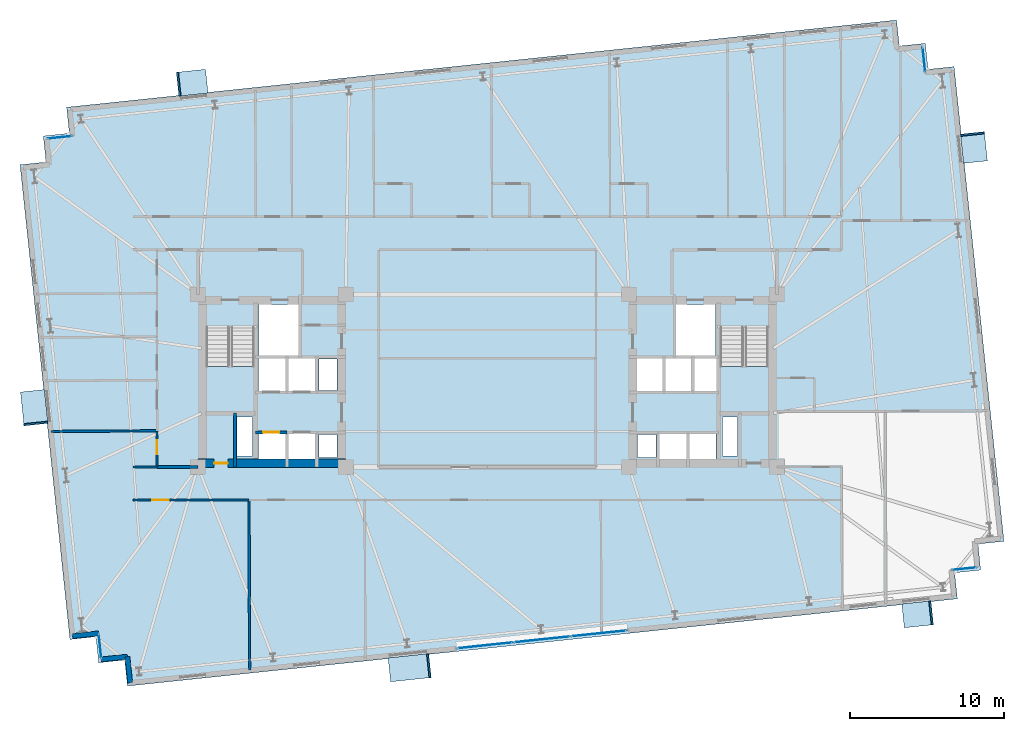
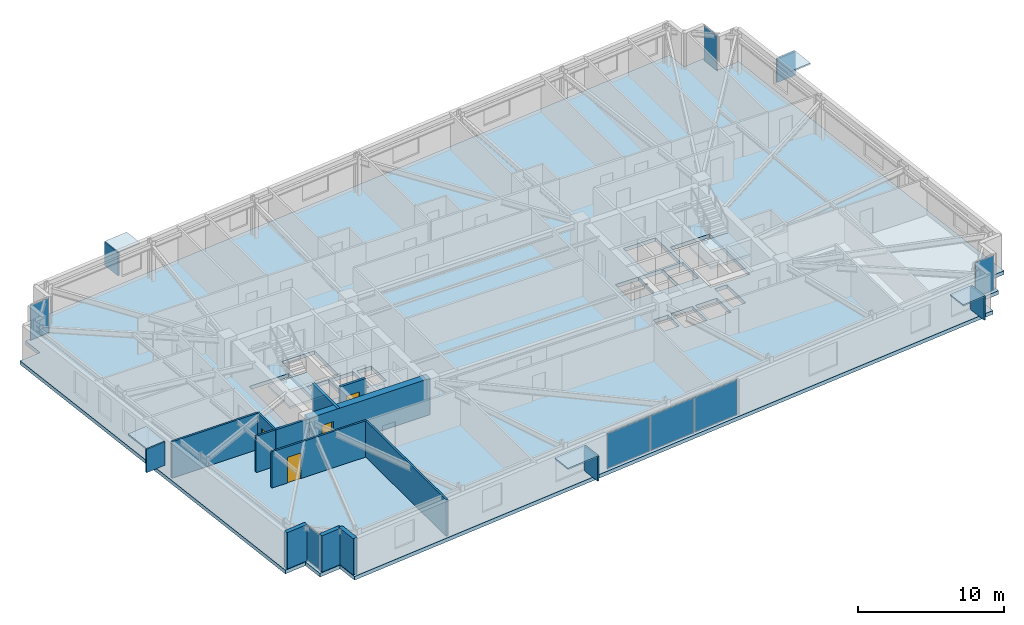
# One storey, part 15 of 23: 17 plates, 12 walls, 4 doors, 3 slabs, 4 openings, 7 elements without a shape of their own.
"""IFC4 building model written with IfcOpenShell, lengths in metres."""

from ifc_helpers import new_model, si_unit, direction, frame, frame_2d, origin, origin_2d, place, context, subcontext, project, spatial, polyline, rectangle, outline, extrude, material, layer, layer_set, type_object, element, fill, aggregate, save


model = new_model("IFC4")

# Units and contexts
model_context = context("Model", 3, precision=1e-05, world=origin(), true_north=direction((0.0, 1.0)))
body_context = subcontext(model_context, "Body", "Model", "MODEL_VIEW")
ifc_project = project(units=[si_unit("LENGTHUNIT", "METRE"), si_unit("AREAUNIT", "SQUARE_METRE"), si_unit("VOLUMEUNIT", "CUBIC_METRE"), si_unit("PLANEANGLEUNIT", "RADIAN"), si_unit("MASSUNIT", "GRAM", prefix="KILO")], contexts=[model_context])

# Site, building, storey
site_placement = place(None, origin())
site = spatial("IfcSite", under=ifc_project, at=site_placement, CompositionType="ELEMENT")
building_placement = place(site_placement, origin())
building = spatial("IfcBuilding", under=site, at=building_placement, Name="Qobustan Lattice House", CompositionType="ELEMENT")
storey_placement = place(building_placement, frame((0.0, 0.0, 102.449951171875)))
storey = spatial("IfcBuildingStorey", under=building, at=storey_placement, Name="L28", CompositionType="ELEMENT", Elevation=102.449951171875)

# Curtain wall, plate
ifc_material_1 = material(Name="Anodised aluminium and low-E glazing", Category="aluminium")
ifc_layer_1 = layer(ifc_material_1, 0.219970703125)
ifc_layer_set_1 = layer_set([ifc_layer_1], Name="Anodised aluminium and low-E glazing")
curtain_wall_type_1 = type_object("IfcCurtainWallType", Name="CW-FAC-01", PredefinedType="USERDEFINED", material=ifc_layer_set_1)
curtain_wall_1_placement = place(storey_placement, origin())
curtain_wall_1 = element("IfcCurtainWall", 1, at=curtain_wall_1_placement, inside=storey, type_object=curtain_wall_type_1, Name="L28 serrated corner faceted glazing 3", ObjectType="CURTAIN WALL", PredefinedType="USERDEFINED")
ifc_material_2 = material(Name="Clear low-E laminated glass", Category="glass")
ifc_layer_2 = layer(ifc_material_2, 0.031982421875)
ifc_layer_set_2 = layer_set([ifc_layer_2], Name="Clear low-E laminated glass")
plate_type_1 = type_object("IfcPlateType", Name="CWP-VISION-32", PredefinedType="CURTAIN_PANEL", material=ifc_layer_set_2)
plate_1_placement = place(storey_placement, frame((-25.155029296875, -17.2509765625, 0.06494140625), z_axis=(0.0, 0.0, 1.0), x_axis=(-0.104528620025, 0.994521878892, 0.0)))
plate_1 = element("IfcPlate", 2, at=plate_1_placement, type_object=plate_type_1, Name="CW-F1 panel 1.1", PredefinedType="CURTAIN_PANEL", context=body_context, shape_type="SweptSolid", body=[
    extrude(rectangle(XDim=1.56005859375, YDim=0.031982421875, at=origin_2d()), origin(), (0.0, 0.0, 1.0), 2.9150390625),
])
aggregate(curtain_wall_1, [plate_1])

curtain_wall_2_placement = place(storey_placement, origin())
curtain_wall_2 = element("IfcCurtainWall", 3, at=curtain_wall_2_placement, inside=storey, type_object=curtain_wall_type_1, Name="L28 serrated corner faceted glazing 8", ObjectType="CURTAIN WALL", PredefinedType="USERDEFINED")
plate_2_placement = place(storey_placement, frame((-27.77490234375, 15.80615234375, 0.06494140625), z_axis=(0.0, 0.0, 1.0), x_axis=(0.994521878892, 0.104528620025, 0.0)))
plate_2 = element("IfcPlate", 4, at=plate_2_placement, type_object=plate_type_1, Name="CW-F1 panel 1.1", PredefinedType="CURTAIN_PANEL", context=body_context, shape_type="SweptSolid", body=[
    extrude(rectangle(XDim=1.56005859375, YDim=0.031982421875, at=origin_2d()), origin(), (0.0, 0.0, 1.0), 2.9150390625),
])
aggregate(curtain_wall_2, [plate_2])

curtain_wall_3_placement = place(storey_placement, origin())
curtain_wall_3 = element("IfcCurtainWall", 5, at=curtain_wall_3_placement, inside=storey, type_object=curtain_wall_type_1, Name="L28 serrated corner faceted glazing 13", ObjectType="CURTAIN WALL", PredefinedType="USERDEFINED")
plate_3_placement = place(storey_placement, frame((28.355224609375, 20.85107421875, 0.06494140625), z_axis=(0.0, 0.0, 1.0), x_axis=(0.104528620025, -0.994521878892, 0.0)))
plate_3 = element("IfcPlate", 6, at=plate_3_placement, type_object=plate_type_1, Name="CW-F1 panel 1.1", PredefinedType="CURTAIN_PANEL", context=body_context, shape_type="SweptSolid", body=[
    extrude(rectangle(XDim=1.56005859375, YDim=0.031982421875, at=origin_2d()), origin(), (0.0, 0.0, 1.0), 2.9150390625),
])
aggregate(curtain_wall_3, [plate_3])

curtain_wall_4_placement = place(storey_placement, origin())
curtain_wall_4 = element("IfcCurtainWall", 7, at=curtain_wall_4_placement, inside=storey, type_object=curtain_wall_type_1, Name="L28 serrated corner faceted glazing 18", ObjectType="CURTAIN WALL", PredefinedType="USERDEFINED")
plate_4_placement = place(storey_placement, frame((30.974853515625, -12.206298828125, 0.06494140625), z_axis=(0.0, 0.0, 1.0), x_axis=(-0.994521878892, -0.104528620025, 0.0)))
plate_4 = element("IfcPlate", 8, at=plate_4_placement, type_object=plate_type_1, Name="CW-F1 panel 1.1", PredefinedType="CURTAIN_PANEL", context=body_context, shape_type="SweptSolid", body=[
    extrude(rectangle(XDim=1.56005859375, YDim=0.031982421875, at=origin_2d()), origin(), (0.0, 0.0, 1.0), 2.9150390625),
])
aggregate(curtain_wall_4, [plate_4])

# Curtain wall, plates
ifc_material_3 = material(Name="Anodised aluminium and low-E glazing", Category="aluminium")
ifc_layer_3 = layer(ifc_material_3, 0.219970703125)
ifc_layer_set_3 = layer_set([ifc_layer_3], Name="Anodised aluminium and low-E glazing")
curtain_wall_type_2 = type_object("IfcCurtainWallType", Name="CW-IWN-01", PredefinedType="USERDEFINED", material=ifc_layer_set_3)
curtain_wall_5_placement = place(storey_placement, origin())
curtain_wall_5 = element("IfcCurtainWall", 9, at=curtain_wall_5_placement, inside=storey, type_object=curtain_wall_type_2, Name="L28 IWAN-2 walnut-lined iwan curtain wall", ObjectType="CURTAIN WALL", PredefinedType="USERDEFINED")
plate_5_placement = place(storey_placement, frame((7.24755859375, -16.409423828125, 0.06494140625), z_axis=(0.0, 0.0, 1.0), x_axis=(-0.994522123189, -0.104526295675, 0.0)))
plate_5 = element("IfcPlate", 10, at=plate_5_placement, type_object=plate_type_1, Name="CW-IW panel 1.1", PredefinedType="CURTAIN_PANEL", context=body_context, shape_type="SweptSolid", body=[
    extrude(rectangle(XDim=3.61328125, YDim=0.031982421875, at=origin_2d()), origin(), (0.0, 0.0, 1.0), 2.9150390625),
])
plate_6_placement = place(storey_placement, frame((3.5546875, -16.797607421875, 0.06494140625), z_axis=(0.0, 0.0, 1.0), x_axis=(-0.994522123189, -0.104526295675, 0.0)))
plate_6 = element("IfcPlate", 11, at=plate_6_placement, type_object=plate_type_1, Name="CW-IW panel 2.1", PredefinedType="CURTAIN_PANEL", context=body_context, shape_type="SweptSolid", body=[
    extrude(rectangle(XDim=3.6533203125, YDim=0.031982421875, at=origin_2d()), origin(), (0.0, 0.0, 1.0), 2.9150390625),
])
plate_7_placement = place(storey_placement, frame((-0.138427734375, -17.185791015625, 0.06494140625), z_axis=(0.0, 0.0, 1.0), x_axis=(-0.994522123189, -0.104526295675, 0.0)))
plate_7 = element("IfcPlate", 12, at=plate_7_placement, type_object=plate_type_1, Name="CW-IW panel 3.1", PredefinedType="CURTAIN_PANEL", context=body_context, shape_type="SweptSolid", body=[
    extrude(rectangle(XDim=3.61328125, YDim=0.031982421875, at=origin_2d()), origin(), (0.0, 0.0, 1.0), 2.9150390625),
])
aggregate(curtain_wall_5, [plate_5, plate_6, plate_7])

# Plates
ifc_material_4 = material(Name="Qobustan limestone GFRC", Category="masonry")
ifc_layer_4 = layer(ifc_material_4, 0.1201171875)
ifc_layer_set_4 = layer_set([ifc_layer_4], Name="Qobustan limestone GFRC")
plate_type_2 = type_object("IfcPlateType", Name="SHD-HOOD-BROW", PredefinedType="USERDEFINED", material=ifc_layer_set_4)
plate_8_placement = place(storey_placement, frame((-29.4296875, -1.743408203125, 2.699951171875), z_axis=(0.0, 0.0, 1.0), x_axis=(-0.104528463268, 0.994521895368, 0.0)))
element("IfcPlate", 13, at=plate_8_placement, inside=storey, type_object=plate_type_2, Name="L28 splayed Qobustan stone hood brow", ObjectType="SUNSHADE", PredefinedType="USERDEFINED", context=body_context, shape_type="SweptSolid", body=[
    extrude(rectangle(XDim=2.18994140625, YDim=1.56005859375, at=origin_2d()), origin(), (0.0, 0.0, 1.0), 0.1201171875),
])
plate_9_placement = place(storey_placement, frame((-29.3212890625, -2.772705078125, 0.7900390625), z_axis=(0.0, 0.0, 1.0), x_axis=(-0.104528463268, 0.994521895368, 0.0)))
element("IfcPlate", 14, at=plate_9_placement, inside=storey, type_object=plate_type_2, Name="L28 splayed Qobustan stone hood cheek", ObjectType="SUNSHADE", PredefinedType="USERDEFINED", context=body_context, shape_type="SweptSolid", body=[
    extrude(rectangle(XDim=0.1201171875, YDim=1.56005859375, at=origin_2d()), origin(), (0.0, 0.0, 1.0), 1.969970703125),
])
plate_10_placement = place(storey_placement, frame((-19.162841796875, 19.355712890625, 2.699951171875), z_axis=(0.0, 0.0, 1.0), x_axis=(0.994521895368, 0.104528463268, 0.0)))
element("IfcPlate", 15, at=plate_10_placement, inside=storey, type_object=plate_type_2, Name="L28 splayed Qobustan stone hood brow", ObjectType="SUNSHADE", PredefinedType="USERDEFINED", context=body_context, shape_type="SweptSolid", body=[
    extrude(rectangle(XDim=1.889892578125, YDim=1.56005859375, at=origin_2d()), origin(), (0.0, 0.0, 1.0), 0.1201171875),
])
plate_11_placement = place(storey_placement, frame((-20.04296875, 19.26318359375, 0.7900390625), z_axis=(0.0, 0.0, 1.0), x_axis=(0.994521895368, 0.104528463268, 0.0)))
element("IfcPlate", 16, at=plate_11_placement, inside=storey, type_object=plate_type_2, Name="L28 splayed Qobustan stone hood cheek", ObjectType="SUNSHADE", PredefinedType="USERDEFINED", context=body_context, shape_type="SweptSolid", body=[
    extrude(rectangle(XDim=0.1201171875, YDim=1.56005859375, at=origin_2d()), origin(), (0.0, 0.0, 1.0), 1.969970703125),
])
plate_12_placement = place(storey_placement, frame((31.599609375, 15.14208984375, 2.699951171875), z_axis=(0.0, 0.0, 1.0), x_axis=(0.104528463268, -0.994521895368, 0.0)))
element("IfcPlate", 17, at=plate_12_placement, inside=storey, type_object=plate_type_2, Name="L28 splayed Qobustan stone hood brow", ObjectType="SUNSHADE", PredefinedType="USERDEFINED", context=body_context, shape_type="SweptSolid", body=[
    extrude(rectangle(XDim=1.889892578125, YDim=1.56005859375, at=origin_2d()), origin(), (0.0, 0.0, 1.0), 0.1201171875),
])
plate_13_placement = place(storey_placement, frame((31.507080078125, 16.022216796875, 0.7900390625), z_axis=(0.0, 0.0, 1.0), x_axis=(0.104528463268, -0.994521895368, 0.0)))
element("IfcPlate", 18, at=plate_13_placement, inside=storey, type_object=plate_type_2, Name="L28 splayed Qobustan stone hood cheek", ObjectType="SUNSHADE", PredefinedType="USERDEFINED", context=body_context, shape_type="SweptSolid", body=[
    extrude(rectangle(XDim=0.1201171875, YDim=1.56005859375, at=origin_2d()), origin(), (0.0, 0.0, 1.0), 1.969970703125),
])
plate_14_placement = place(storey_placement, frame((27.935791015625, -15.170166015625, 2.699951171875), z_axis=(0.0, 0.0, 1.0), x_axis=(-0.994521895368, -0.104528463268, 0.0)))
element("IfcPlate", 19, at=plate_14_placement, inside=storey, type_object=plate_type_2, Name="L28 splayed Qobustan stone hood brow", ObjectType="SUNSHADE", PredefinedType="USERDEFINED", context=body_context, shape_type="SweptSolid", body=[
    extrude(rectangle(XDim=1.889892578125, YDim=1.56005859375, at=origin_2d()), origin(), (0.0, 0.0, 1.0), 0.1201171875),
])
plate_15_placement = place(storey_placement, frame((28.81591796875, -15.07763671875, 0.7900390625), z_axis=(0.0, 0.0, 1.0), x_axis=(-0.994521895368, -0.104528463268, 0.0)))
element("IfcPlate", 20, at=plate_15_placement, inside=storey, type_object=plate_type_2, Name="L28 splayed Qobustan stone hood cheek", ObjectType="SUNSHADE", PredefinedType="USERDEFINED", context=body_context, shape_type="SweptSolid", body=[
    extrude(rectangle(XDim=0.1201171875, YDim=1.56005859375, at=origin_2d()), origin(), (0.0, 0.0, 1.0), 1.969970703125),
])
plate_16_placement = place(storey_placement, frame((-5.052978515625, -18.637451171875, 2.800048828125), z_axis=(0.0, 0.0, 1.0), x_axis=(-0.994521895368, -0.104528463268, 0.0)))
element("IfcPlate", 21, at=plate_16_placement, inside=storey, type_object=plate_type_2, Name="L28 splayed Qobustan stone hood brow", ObjectType="SUNSHADE", PredefinedType="USERDEFINED", context=body_context, shape_type="SweptSolid", body=[
    extrude(rectangle(XDim=2.639892578125, YDim=1.56005859375, at=origin_2d()), origin(), (0.0, 0.0, 1.0), 0.1201171875),
])
plate_17_placement = place(storey_placement, frame((-3.7998046875, -18.505615234375, 0.7900390625), z_axis=(0.0, 0.0, 1.0), x_axis=(-0.994521895368, -0.104528463268, 0.0)))
element("IfcPlate", 22, at=plate_17_placement, inside=storey, type_object=plate_type_2, Name="L28 splayed Qobustan stone hood cheek", ObjectType="SUNSHADE", PredefinedType="USERDEFINED", context=body_context, shape_type="SweptSolid", body=[
    extrude(rectangle(XDim=0.1201171875, YDim=1.56005859375, at=origin_2d()), origin(), (0.0, 0.0, 1.0), 2.070068359375),
])

# Slab
ifc_material_5 = material(Name="Concrete C40/50", Category="concrete")
ifc_layer_5 = layer(ifc_material_5, 0.304931640625)
ifc_layer_set_5 = layer_set([ifc_layer_5], Name="Concrete C40/50")
slab_type_1 = type_object("IfcSlabType", Name="SLB-FLR-305", PredefinedType="FLOOR", material=ifc_layer_set_5)
slab_1_placement = place(storey_placement, frame((0.0, 0.0, -0.304931640625)))
element("IfcSlab", 23, at=slab_1_placement, inside=storey, type_object=slab_type_1, Name="L28 structural floor slab", PredefinedType="FLOOR", context=body_context, shape_type="SweptSolid", body=[
    extrude(outline(polyline([(-23.3759765625, -19.8291015625), (30.527099609375, -14.163818359375), (30.349365234375, -12.47314453125), (32.0400390625, -12.29541015625), (31.8623046875, -10.604736328125), (33.552978515625, -10.427001953125), (30.312744140625, 20.4033203125), (28.6220703125, 20.2255859375), (28.4443359375, 21.916259765625), (26.753662109375, 21.738525390625), (26.575927734375, 23.42919921875), (-27.3271484375, 17.763671875), (-27.1494140625, 16.072998046875), (-28.840087890625, 15.8955078125), (-28.662353515625, 14.20458984375), (-30.35302734375, 14.027099609375), (-27.11279296875, -16.80322265625), (-25.422119140625, -16.62548828125), (-25.244384765625, -18.316162109375), (-23.5537109375, -18.138427734375), (-23.3759765625, -19.8291015625)]), holes=[polyline([(-18.25, -2.050048828125), (-18.25, 3.489990234375), (-15.1298828125, 3.489990234375), (-15.1298828125, -2.050048828125), (-18.25, -2.050048828125)]), polyline([(15.1298828125, -2.050048828125), (15.1298828125, 3.489990234375), (18.25, 3.489990234375), (18.25, -2.050048828125), (15.1298828125, -2.050048828125)]), polyline([(-14.820068359375, 1.64990234375), (-14.820068359375, 4.9599609375), (-12.25, 4.9599609375), (-12.25, 1.64990234375), (-14.820068359375, 1.64990234375)]), polyline([(12.25, 1.64990234375), (12.25, 4.9599609375), (14.820068359375, 4.9599609375), (14.820068359375, 1.64990234375), (12.25, 1.64990234375)]), polyline([(-16.260009765625, -4.8798828125), (-16.260009765625, -2.360107421875), (-15.260009765625, -2.360107421875), (-15.260009765625, -4.8798828125), (-16.260009765625, -4.8798828125)]), polyline([(15.260009765625, -4.8798828125), (15.260009765625, -2.360107421875), (16.260009765625, -2.360107421875), (16.260009765625, -4.8798828125), (15.260009765625, -4.8798828125)]), polyline([(-14.85009765625, -5.35009765625), (-14.85009765625, -3.419921875), (-13.1201171875, -3.419921875), (-13.1201171875, -5.35009765625), (-14.85009765625, -5.35009765625)]), polyline([(-12.919921875, -5.35009765625), (-12.919921875, -3.419921875), (-11.179931640625, -3.419921875), (-11.179931640625, -5.35009765625), (-12.919921875, -5.35009765625)]), polyline([(-14.85009765625, -0.679931640625), (-14.85009765625, 1.47998046875), (-13.1201171875, 1.47998046875), (-13.1201171875, -0.679931640625), (-14.85009765625, -0.679931640625)]), polyline([(-12.919921875, -0.679931640625), (-12.919921875, 1.47998046875), (-11.179931640625, 1.47998046875), (-11.179931640625, -0.679931640625), (-12.919921875, -0.679931640625)]), polyline([(-10.93994140625, -5.0), (-10.93994140625, -3.47998046875), (-9.760009765625, -3.47998046875), (-9.760009765625, -5.0), (-10.93994140625, -5.0)]), polyline([(-10.93994140625, -0.6201171875), (-10.93994140625, 1.419921875), (-9.760009765625, 1.419921875), (-9.760009765625, -0.6201171875), (-10.93994140625, -0.6201171875)]), polyline([(11.179931640625, -5.35009765625), (11.179931640625, -3.419921875), (12.919921875, -3.419921875), (12.919921875, -5.35009765625), (11.179931640625, -5.35009765625)]), polyline([(13.1201171875, -5.35009765625), (13.1201171875, -3.419921875), (14.85009765625, -3.419921875), (14.85009765625, -5.35009765625), (13.1201171875, -5.35009765625)]), polyline([(9.760009765625, -5.0), (9.760009765625, -3.47998046875), (10.93994140625, -3.47998046875), (10.93994140625, -5.0), (9.760009765625, -5.0)]), polyline([(13.360107421875, -0.679931640625), (13.360107421875, 1.47998046875), (14.97998046875, 1.47998046875), (14.97998046875, -0.679931640625), (13.360107421875, -0.679931640625)]), polyline([(9.6201171875, -0.679931640625), (9.6201171875, 1.47998046875), (11.43994140625, 1.47998046875), (11.43994140625, -0.679931640625), (9.6201171875, -0.679931640625)]), polyline([(11.5, -0.679931640625), (11.5, 1.47998046875), (13.320068359375, 1.47998046875), (13.320068359375, -0.679931640625), (11.5, -0.679931640625)])]), origin(), (0.0, 0.0, 1.0), 0.304931640625),
])

# Stair, slab
ifc_material_6 = material(Name="Concrete C40/50", Category="concrete")
stair_type = type_object("IfcStairType", Name="STR-CORE-DOGLEG", PredefinedType="HALF_TURN_STAIR", material=ifc_material_6)
stair_1_placement = place(storey_placement, origin())
stair_1 = element("IfcStair", 24, at=stair_1_placement, inside=storey, type_object=stair_type, Name="L28 West protected exit stair ST-W1", PredefinedType="HALF_TURN_STAIR")
ifc_material_7 = material(Name="Concrete C40/50", Category="concrete")
ifc_layer_6 = layer(ifc_material_7, 0.199951171875)
ifc_layer_set_6 = layer_set([ifc_layer_6], Name="Concrete C40/50")
slab_type_2 = type_object("IfcSlabType", Name="SLB-LANDING-200", PredefinedType="LANDING", material=ifc_layer_set_6)
slab_2_placement = place(storey_placement, frame((0.0, 0.0, 1.47509765625)))
slab_2 = element("IfcSlab", 25, at=slab_2_placement, type_object=slab_type_2, Name="ST-W1 landing 1", PredefinedType="LANDING", context=body_context, shape_type="SweptSolid", body=[
    extrude(outline(polyline([(-18.25, 0.93505859375), (-18.25, -2.050048828125), (-15.1298828125, -2.050048828125), (-15.1298828125, 0.93505859375), (-18.25, 0.93505859375)])), origin(), (0.0, 0.0, 1.0), 0.199951171875),
])
aggregate(stair_1, [slab_2])

stair_2_placement = place(storey_placement, origin())
stair_2 = element("IfcStair", 26, at=stair_2_placement, inside=storey, type_object=stair_type, Name="L28 East protected exit stair ST-E1", PredefinedType="HALF_TURN_STAIR")
slab_3_placement = place(storey_placement, frame((0.0, 0.0, 1.47509765625)))
slab_3 = element("IfcSlab", 27, at=slab_3_placement, type_object=slab_type_2, Name="ST-E1 landing 1", PredefinedType="LANDING", context=body_context, shape_type="SweptSolid", body=[
    extrude(outline(polyline([(15.1298828125, 0.93505859375), (15.1298828125, -2.050048828125), (18.25, -2.050048828125), (18.25, 0.93505859375), (15.1298828125, 0.93505859375)])), origin(), (0.0, 0.0, 1.0), 0.199951171875),
])
aggregate(stair_2, [slab_3])

# Wall, opening, door
ifc_material_8 = material(Name="Concrete C60/75", Category="concrete")
ifc_layer_7 = layer(ifc_material_8, 0.56005859375)
ifc_layer_set_7 = layer_set([ifc_layer_7], Name="Concrete C60/75")
wall_type_1 = type_object("IfcWallType", Name="WAL-CORE-600", PredefinedType="SHEAR", material=ifc_layer_set_7)
wall_1_placement = place(storey_placement, frame((-18.800048828125, -5.35009765625, 0.0), z_axis=(0.0, 0.0, 1.0), x_axis=(1.0, 0.0, 0.0)))
wall_1 = element("IfcWall", 28, at=wall_1_placement, inside=storey, type_object=wall_type_1, Name="L28 split-core shear wall CW-S", PredefinedType="SHEAR", context=body_context, shape_type="SweptSolid", body=[
    extrude(rectangle(XDim=9.60009765625, YDim=0.56005859375, at=frame_2d((4.800048828125, 0.0))), origin(), (0.0, 0.0, 1.0), 3.045166015625),
])
opening_1_placement = place(wall_1_placement, frame((1.050048828125, 0.0, 0.0)))
opening_1 = element("IfcOpeningElement", 29, at=opening_1_placement, cuts=wall_1, Name="Opening RD-01", PredefinedType="OPENING", context=body_context, shape_type="SweptSolid", body=[
    extrude(rectangle(XDim=0.89990234375, YDim=2.10009765625, at=frame_2d((0.449951171875, 1.050048828125))), frame((0.0, 0.2900390625, 0.0), z_axis=(0.0, -1.0, 0.0), x_axis=(1.0, 0.0, 0.0)), (0.0, 0.0, 1.0), 0.580078125),
])
ifc_material_9 = material(Name="Persian walnut timber and steel frame door", Category="steel")
door_type_1 = type_object("IfcDoorType", Name="DOR-RISER-FD-900x2100", OperationType="NOTDEFINED", PredefinedType="DOOR", material=ifc_material_9)
door_1_placement = place(opening_1_placement, origin())
door_1 = element("IfcDoor", 30, at=door_1_placement, inside=storey, type_object=door_type_1, Name="L28 core service riser access door W", OperationType="SINGLE_SWING_LEFT", OverallHeight=2.10009765625, OverallWidth=0.89990234375, PredefinedType="DOOR", context=body_context, shape_type="SweptSolid", body=[
    extrude(rectangle(XDim=0.89990234375, YDim=2.10009765625, at=frame_2d((0.449951171875, 1.050048828125))), frame((0.0, 0.02490234375, 0.0), z_axis=(0.0, -1.0, 0.0), x_axis=(1.0, 0.0, 0.0)), (0.0, 0.0, 1.0), 0.050048828125),
])
fill(opening_1, door_1)

# Walls
ifc_material_10 = material(Name="Precast concrete C40/50", Category="concrete")
ifc_layer_8 = layer(ifc_material_10, 0.320068359375)
ifc_layer_set_8 = layer_set([ifc_layer_8], Name="Precast concrete C40/50")
wall_type_2 = type_object("IfcWallType", Name="WAL-EXT-STONE-320", PredefinedType="SOLIDWALL", material=ifc_layer_set_8)
for number, where, z_axis, x_axis, name in (
    (31, (-23.197998046875, -19.609375, 0.0), (0.0, 0.0, 1.0), (-0.104550220202, 0.994519608382, 0.0), "L28 exterior limestone-clad wall 1"),
    (32, (-23.375732421875, -17.918701171875, 0.0), (0.0, 0.0, 1.0), (-0.994519608382, -0.104550220202, 0.0), "L28 exterior limestone-clad wall 2"),
):
    element("IfcWall", number, at=place(storey_placement, frame(where, z_axis=z_axis, x_axis=x_axis)), inside=storey, type_object=wall_type_2, Name=name, PredefinedType="SOLIDWALL", context=body_context, shape_type="SweptSolid", body=[
        extrude(rectangle(XDim=1.699951171875, YDim=0.320068359375, at=frame_2d((0.85009765625, 0.0))), origin(), (0.0, 0.0, 1.0), 3.045166015625),
    ])
wall_2_placement = place(storey_placement, frame((-25.243896484375, -16.40576171875, 0.0), z_axis=(0.0, 0.0, 1.0), x_axis=(-0.994521177842, -0.104535289845, 0.0)))
element("IfcWall", 33, at=wall_2_placement, inside=storey, type_object=wall_type_2, Name="L28 exterior limestone-clad wall 4", PredefinedType="SOLIDWALL", context=body_context, shape_type="SweptSolid", body=[
    extrude(rectangle(XDim=1.7001953125, YDim=0.320068359375, at=frame_2d((0.85009765625, 0.0))), origin(), (0.0, 0.0, 1.0), 3.045166015625),
])
ifc_material_11 = material(Name="Gypsum fireboard acoustic partition", Category="gypsum")
ifc_layer_9 = layer(ifc_material_11, 0.179931640625)
ifc_layer_set_9 = layer_set([ifc_layer_9], Name="Gypsum fireboard acoustic partition")
wall_type_3 = type_object("IfcWallType", Name="WAL-FIRE-180", PredefinedType="PARTITIONING", material=ifc_layer_set_9)
wall_3_placement = place(storey_placement, frame((-21.449951171875, -5.60009765625, 0.0), z_axis=(0.0, 0.0, 1.0), x_axis=(1.0, 0.0, 0.0)))
element("IfcWall", 34, at=wall_3_placement, inside=storey, type_object=wall_type_3, Name="L28 interior partition 54", PredefinedType="PARTITIONING", context=body_context, shape_type="SweptSolid", body=[
    extrude(rectangle(XDim=2.64990234375, YDim=0.179931640625, at=frame_2d((1.324951171875, 0.0))), origin(), (0.0, 0.0, 1.0), 3.045166015625),
])

# Wall, opening, door
ifc_material_12 = material(Name="Acoustic twin-stud gypsum partition", Category="gypsum")
ifc_layer_10 = layer(ifc_material_12, 0.14990234375)
ifc_layer_set_10 = layer_set([ifc_layer_10], Name="Acoustic twin-stud gypsum partition")
wall_type_4 = type_object("IfcWallType", Name="WAL-PART-150", PredefinedType="PARTITIONING", material=ifc_layer_set_10)
wall_4_placement = place(storey_placement, frame((-15.4833984375, -7.75, 0.0), z_axis=(0.0, 0.0, 1.0), x_axis=(-1.0, 0.0, 0.0)))
wall_4 = element("IfcWall", 35, at=wall_4_placement, inside=storey, type_object=wall_type_4, Name="L28 interior partition 56", PredefinedType="PARTITIONING", context=body_context, shape_type="SweptSolid", body=[
    extrude(rectangle(XDim=7.5166015625, YDim=0.14990234375, at=frame_2d((3.75830078125, 0.0))), origin(), (0.0, 0.0, 1.0), 3.045166015625),
])
opening_2_placement = place(wall_4_placement, frame((5.22314453125, 0.0, 0.0)))
opening_2 = element("IfcOpeningElement", 36, at=opening_2_placement, cuts=wall_4, Name="Opening ID-02", PredefinedType="OPENING", context=body_context, shape_type="SweptSolid", body=[
    extrude(rectangle(XDim=1.050048828125, YDim=2.14990234375, at=frame_2d((0.52490234375, 1.074951171875))), frame((0.0, 0.0849609375, 0.0), z_axis=(0.0, -1.0, 0.0), x_axis=(1.0, 0.0, 0.0)), (0.0, 0.0, 1.0), 0.169921875),
])
ifc_material_13 = material(Name="Persian walnut timber and steel frame door", Category="steel")
door_type_2 = type_object("IfcDoorType", Name="DOR-STUDY-1050x2150", OperationType="NOTDEFINED", PredefinedType="DOOR", material=ifc_material_13)
door_2_placement = place(opening_2_placement, origin())
door_2 = element("IfcDoor", 37, at=door_2_placement, inside=storey, type_object=door_type_2, Name="L28 South-west floor corridor to Focus study room S1A door", OperationType="SINGLE_SWING_LEFT", OverallHeight=2.14990234375, OverallWidth=1.050048828125, PredefinedType="DOOR", context=body_context, shape_type="SweptSolid", body=[
    extrude(rectangle(XDim=1.050048828125, YDim=2.14990234375, at=frame_2d((0.52490234375, 1.074951171875))), frame((0.0, 0.02490234375, 0.0), z_axis=(0.0, -1.0, 0.0), x_axis=(1.0, 0.0, 0.0)), (0.0, 0.0, 1.0), 0.050048828125),
])
fill(opening_2, door_2)

# Walls
wall_5_placement = place(storey_placement, frame((-15.4833984375, -7.75, 0.0), z_axis=(0.0, 0.0, 1.0), x_axis=(0.003956994399, -0.999992171067, 0.0)))
element("IfcWall", 38, at=wall_5_placement, inside=storey, type_object=wall_type_4, Name="L28 interior partition 105", PredefinedType="PARTITIONING", context=body_context, shape_type="SweptSolid", body=[
    extrude(rectangle(XDim=11.0439453125, YDim=0.14990234375, at=frame_2d((5.52197265625, 0.0))), origin(), (0.0, 0.0, 1.0), 3.045166015625),
])
ifc_material_14 = material(Name="Concrete C40/50", Category="concrete")
ifc_layer_11 = layer(ifc_material_14, 0.199951171875)
ifc_layer_set_11 = layer_set([ifc_layer_11], Name="Concrete C40/50")
wall_type_5 = type_object("IfcWallType", Name="WAL-SHAFT-200", PredefinedType="PARTITIONING", material=ifc_layer_set_11)
wall_6_placement = place(storey_placement, frame((-16.39990234375, -5.60009765625, 0.0), z_axis=(0.0, 0.0, 1.0), x_axis=(0.0, 1.0, 0.0)))
element("IfcWall", 39, at=wall_6_placement, inside=storey, type_object=wall_type_5, Name="L28 interior partition 1", PredefinedType="PARTITIONING", context=body_context, shape_type="SweptSolid", body=[
    extrude(rectangle(XDim=3.489990234375, YDim=0.199951171875, at=frame_2d((1.7451171875, 0.0))), origin(), (0.0, 0.0, 1.0), 3.045166015625),
])

# Wall, opening, door
wall_7_placement = place(storey_placement, frame((-15.050048828125, -3.35009765625, 0.0), z_axis=(0.0, 0.0, 1.0), x_axis=(1.0, 0.0, 0.0)))
wall_7 = element("IfcWall", 40, at=wall_7_placement, inside=storey, type_object=wall_type_5, Name="L28 interior partition 9", PredefinedType="PARTITIONING", context=body_context, shape_type="SweptSolid", body=[
    extrude(rectangle(XDim=2.030029296875, YDim=0.199951171875, at=frame_2d((1.01513671875, 0.0))), origin(), (0.0, 0.0, 1.0), 3.045166015625),
])
opening_3_placement = place(wall_7_placement, frame((0.489990234375, 0.0, 0.0)))
opening_3 = element("IfcOpeningElement", 41, at=opening_3_placement, cuts=wall_7, Name="Opening LD-01", PredefinedType="OPENING", context=body_context, shape_type="SweptSolid", body=[
    extrude(rectangle(XDim=1.050048828125, YDim=2.10009765625, at=frame_2d((0.52490234375, 1.050048828125))), frame((0.0, 0.10986328125, 0.0), z_axis=(0.0, -1.0, 0.0), x_axis=(1.0, 0.0, 0.0)), (0.0, 0.0, 1.0), 0.219970703125),
])
ifc_material_15 = material(Name="Persian walnut timber and steel frame door", Category="steel")
door_type_3 = type_object("IfcDoorType", Name="DOR-LIFT-LD-1050x2100", OperationType="NOTDEFINED", PredefinedType="DOOR", material=ifc_material_15)
door_3_placement = place(opening_3_placement, origin())
door_3 = element("IfcDoor", 42, at=door_3_placement, inside=storey, type_object=door_type_3, Name="L28 lift landing door", OperationType="DOUBLE_DOOR_SLIDING", OverallHeight=2.10009765625, OverallWidth=1.050048828125, PredefinedType="DOOR", context=body_context, shape_type="SweptSolid", body=[
    extrude(rectangle(XDim=1.050048828125, YDim=2.10009765625, at=frame_2d((0.52490234375, 1.050048828125))), frame((0.0, 0.02490234375, 0.0), z_axis=(0.0, -1.0, 0.0), x_axis=(1.0, 0.0, 0.0)), (0.0, 0.0, 1.0), 0.050048828125),
])
fill(opening_3, door_3)

# Wall
ifc_material_16 = material(Name="Moisture-resistant acoustic plumbing wall", Category="gypsum")
ifc_layer_12 = layer(ifc_material_16, 0.14990234375)
ifc_layer_set_12 = layer_set([ifc_layer_12], Name="Moisture-resistant acoustic plumbing wall")
wall_type_6 = type_object("IfcWallType", Name="WAL-WET-150", PredefinedType="PLUMBINGWALL", material=ifc_layer_set_12)
wall_8_placement = place(storey_placement, frame((-23.0, -5.60009765625, 0.0), z_axis=(0.0, 0.0, 1.0), x_axis=(1.0, 0.0, 0.0)))
element("IfcWall", 43, at=wall_8_placement, inside=storey, type_object=wall_type_6, Name="L28 interior partition 55", PredefinedType="PLUMBINGWALL", context=body_context, shape_type="SweptSolid", body=[
    extrude(rectangle(XDim=1.550048828125, YDim=0.14990234375, at=frame_2d((0.77490234375, 0.0))), origin(), (0.0, 0.0, 1.0), 3.045166015625),
])

# Wall, opening, door
wall_9_placement = place(storey_placement, frame((-21.449951171875, -5.60009765625, 0.0), z_axis=(0.0, 0.0, 1.0), x_axis=(0.0, 1.0, 0.0)))
wall_9 = element("IfcWall", 44, at=wall_9_placement, inside=storey, type_object=wall_type_6, Name="L28 interior partition 69", PredefinedType="PLUMBINGWALL", context=body_context, shape_type="SweptSolid", body=[
    extrude(rectangle(XDim=2.35009765625, YDim=0.14990234375, at=frame_2d((1.175048828125, 0.0))), origin(), (0.0, 0.0, 1.0), 3.045166015625),
])
opening_4_placement = place(wall_9_placement, frame((0.833740234375, 0.0, 0.0)))
opening_4 = element("IfcOpeningElement", 45, at=opening_4_placement, cuts=wall_9, Name="Opening WD-01", PredefinedType="OPENING", context=body_context, shape_type="SweptSolid", body=[
    extrude(rectangle(XDim=0.89990234375, YDim=2.10009765625, at=frame_2d((0.449951171875, 1.050048828125))), frame((0.0, 0.0849609375, 0.0), z_axis=(0.0, -1.0, 0.0), x_axis=(1.0, 0.0, 0.0)), (0.0, 0.0, 1.0), 0.169921875),
])
ifc_material_17 = material(Name="Persian walnut timber and steel frame door", Category="steel")
door_type_4 = type_object("IfcDoorType", Name="DOR-WET-900x2100", OperationType="NOTDEFINED", PredefinedType="DOOR", material=ifc_material_17)
door_4_placement = place(opening_4_placement, origin())
door_4 = element("IfcDoor", 46, at=door_4_placement, inside=storey, type_object=door_type_4, Name="L28 Residence entrance hall L28W to Shared bathroom L28W door", OperationType="SINGLE_SWING_LEFT", OverallHeight=2.10009765625, OverallWidth=0.89990234375, PredefinedType="DOOR", context=body_context, shape_type="SweptSolid", body=[
    extrude(rectangle(XDim=0.89990234375, YDim=2.10009765625, at=frame_2d((0.449951171875, 1.050048828125))), frame((0.0, 0.02490234375, 0.0), z_axis=(0.0, -1.0, 0.0), x_axis=(1.0, 0.0, 0.0)), (0.0, 0.0, 1.0), 0.050048828125),
])
fill(opening_4, door_4)

# Wall
wall_10_placement = place(storey_placement, frame((-28.33154296875, -3.2939453125, 0.0), z_axis=(0.0, 0.0, 1.0), x_axis=(0.99997961062, 0.006385792383, 0.0)))
element("IfcWall", 47, at=wall_10_placement, inside=storey, type_object=wall_type_6, Name="L28 interior partition 74", PredefinedType="PLUMBINGWALL", context=body_context, shape_type="SweptSolid", body=[
    extrude(rectangle(XDim=6.8818359375, YDim=0.14990234375, at=frame_2d((3.44091796875, 0.0))), origin(), (0.0, 0.0, 1.0), 3.045166015625),
])

save(model, "model.ifc")
